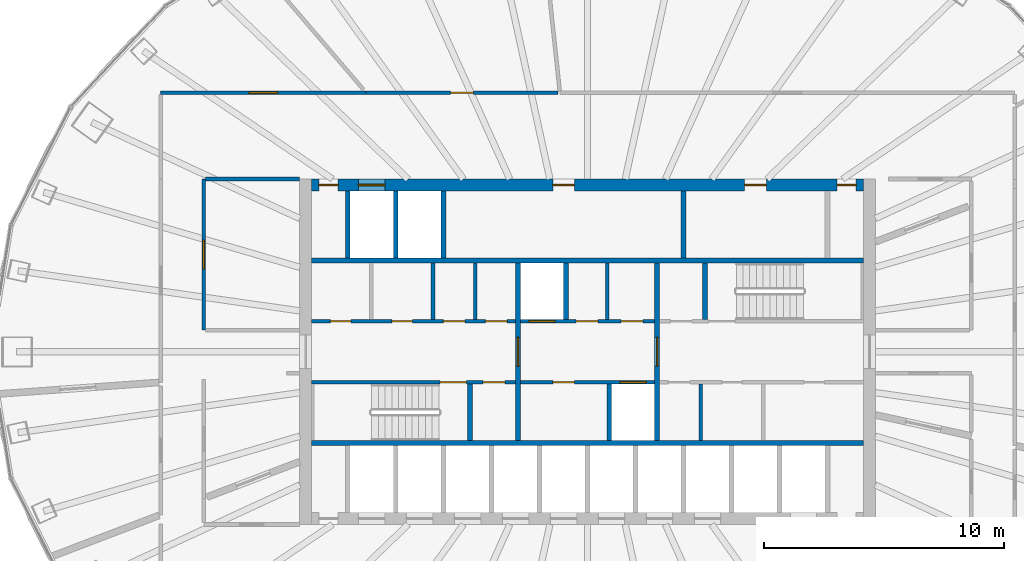
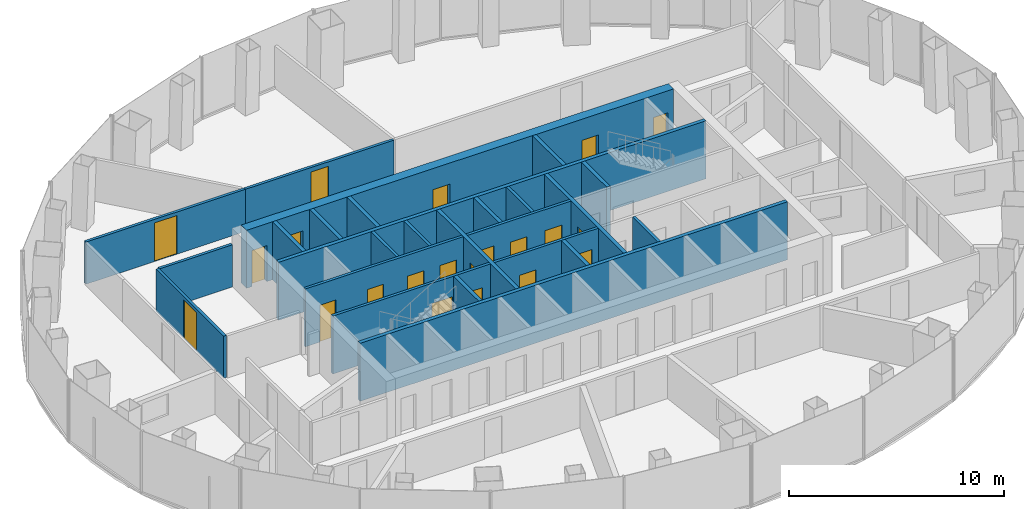
# One storey, part 9 of 12: 25 walls, 21 doors, 21 openings.
"""IFC4 building model written with IfcOpenShell, lengths in metres."""

from ifc_helpers import new_model, si_unit, direction, frame, frame_2d, origin, place, context, subcontext, project, spatial, rectangle, extrude, material, layer, layer_set, type_object, element, fill, save


model = new_model("IFC4")

# Units and contexts
model_context = context("Model", 3, precision=1e-05, world=origin(), true_north=direction((0.0, 1.0)))
body_context = subcontext(model_context, "Body", "Model", "MODEL_VIEW")
ifc_project = project(units=[si_unit("LENGTHUNIT", "METRE"), si_unit("AREAUNIT", "SQUARE_METRE"), si_unit("VOLUMEUNIT", "CUBIC_METRE"), si_unit("PLANEANGLEUNIT", "RADIAN"), si_unit("MASSUNIT", "GRAM", prefix="KILO")], contexts=[model_context])

# Site, building, storey
site_placement = place(None, origin())
site = spatial("IfcSite", under=ifc_project, at=site_placement, CompositionType="ELEMENT")
building_placement = place(site_placement, origin())
building = spatial("IfcBuilding", under=site, at=building_placement, Name="Siaravel Broadcast Tower", CompositionType="ELEMENT")
storey_placement = place(building_placement, frame((0.0, 0.0, 134.10009765625)))
storey = spatial("IfcBuildingStorey", under=building, at=storey_placement, Name="L32", CompositionType="ELEMENT", Elevation=134.10009765625)

# Walls
ifc_material_1 = material(Name="Concrete blockwork", Category="masonry")
ifc_layer_1 = layer(ifc_material_1, 0.14990234375)
ifc_layer_set_1 = layer_set([ifc_layer_1], Name="Concrete blockwork")
wall_type_1 = type_object("IfcWallType", Name="Core partition 150", PredefinedType="PARTITIONING", material=ifc_layer_set_1)
for number, where, z_axis, x_axis, name in (
    (1, (-6.445068359375, 1.35009765625, 0.0), (0.0, 0.0, 1.0), (0.0, 1.0, 0.0), "L32 core partition PNW1"),
    (2, (-4.68505859375, 1.35009765625, 0.0), (0.0, 0.0, 1.0), (0.0, 1.0, 0.0), "L32 core partition PNW2"),
    (3, (4.715087890625, -3.699951171875, 0.0), (0.0, 0.0, 1.0), (0.0, 1.0, 0.0), "L32 core partition PSE0"),
    (4, (0.827392578125, 1.35009765625, 0.0), (0.0, 0.0, 1.0), (0.0, 1.0, 0.0), "L32 core partition PNM0"),
):
    element("IfcWall", number, at=place(storey_placement, frame(where, z_axis=z_axis, x_axis=x_axis)), inside=storey, type_object=wall_type_1, Name=name, PredefinedType="PARTITIONING", context=body_context, shape_type="SweptSolid", body=[
        extrude(rectangle(XDim=2.349853515625, YDim=0.14990234375, at=frame_2d((1.1748046875, 0.0))), origin(), (0.0, 0.0, 1.0), 3.2998046875),
    ])
ifc_layer_2 = layer(ifc_material_1, 0.199951171875)
ifc_layer_set_2 = layer_set([ifc_layer_2], Name="Concrete blockwork")
wall_type_2 = type_object("IfcWallType", Name="Core partition 200", PredefinedType="PARTITIONING", material=ifc_layer_set_2)
wall_1_placement = place(storey_placement, frame((4.0, 3.89990234375, 0.0), z_axis=(0.0, 0.0, 1.0), x_axis=(0.0, 1.0, 0.0)))
element("IfcWall", 5, at=wall_1_placement, inside=storey, type_object=wall_type_2, Name="L32 core partition PFN2", PredefinedType="PARTITIONING", context=body_context, shape_type="SweptSolid", body=[
    extrude(rectangle(XDim=2.800048828125, YDim=0.199951171875, at=frame_2d((1.39990234375, 0.0))), origin(), (0.0, 0.0, 1.0), 3.2998046875),
])

# Wall, openings, doors
ifc_material_2 = material(Name="Concrete C60/75", Category="concrete")
ifc_layer_3 = layer(ifc_material_2, 0.5)
ifc_layer_set_3 = layer_set([ifc_layer_3], Name="Concrete C60/75")
wall_type_3 = type_object("IfcWallType", Name="Core wall 500", PredefinedType="SHEAR", material=ifc_layer_set_3)
wall_2_placement = place(storey_placement, frame((-11.5, 6.949951171875, 0.0), z_axis=(0.0, 0.0, 1.0), x_axis=(1.0, 0.0, 0.0)))
wall_2 = element("IfcWall", 6, at=wall_2_placement, inside=storey, type_object=wall_type_3, Name="L32 core wall ON", PredefinedType="SHEAR", context=body_context, shape_type="SweptSolid", body=[
    extrude(rectangle(XDim=23.0, YDim=0.5, at=frame_2d((11.5, 0.0))), origin(), (0.0, 0.0, 1.0), 3.2998046875),
])
opening_1_placement = place(wall_2_placement, frame((1.949951171875, 0.0, 0.0)))
opening_1 = element("IfcOpeningElement", 7, at=opening_1_placement, cuts=wall_2, Name="Opening LD-SV2-L32", PredefinedType="OPENING", context=body_context, shape_type="SweptSolid", body=[
    extrude(rectangle(XDim=1.10009765625, YDim=2.199951171875, at=frame_2d((0.550048828125, 1.10009765625))), frame((0.0, 0.260009765625, 0.0), z_axis=(0.0, -1.0, 0.0), x_axis=(1.0, 0.0, 0.0)), (0.0, 0.0, 1.0), 0.52001953125),
])
opening_2_placement = place(wall_2_placement, frame((10.050048828125, 0.0, 0.0)))
opening_2 = element("IfcOpeningElement", 8, at=opening_2_placement, cuts=wall_2, Name="Opening L32-DFN2", PredefinedType="OPENING", context=body_context, shape_type="SweptSolid", body=[
    extrude(rectangle(XDim=0.89990234375, YDim=2.10009765625, at=frame_2d((0.449951171875, 1.050048828125))), frame((0.0, 0.260009765625, 0.0), z_axis=(0.0, -1.0, 0.0), x_axis=(1.0, 0.0, 0.0)), (0.0, 0.0, 1.0), 0.52001953125),
])
opening_3_placement = place(wall_2_placement, frame((18.050048828125, 0.0, 0.0)))
opening_3 = element("IfcOpeningElement", 9, at=opening_3_placement, cuts=wall_2, Name="Opening L32-DFN7", PredefinedType="OPENING", context=body_context, shape_type="SweptSolid", body=[
    extrude(rectangle(XDim=0.89990234375, YDim=2.10009765625, at=frame_2d((0.449951171875, 1.050048828125))), frame((0.0, 0.260009765625, 0.0), z_axis=(0.0, -1.0, 0.0), x_axis=(1.0, 0.0, 0.0)), (0.0, 0.0, 1.0), 0.52001953125),
])
opening_4_placement = place(wall_2_placement, frame((0.300048828125, 0.0, 0.0)))
opening_4 = element("IfcOpeningElement", 10, at=opening_4_placement, cuts=wall_2, Name="Opening L32-DRNW", PredefinedType="OPENING", context=body_context, shape_type="SweptSolid", body=[
    extrude(rectangle(XDim=0.800048828125, YDim=2.050048828125, at=frame_2d((0.39990234375, 1.02490234375))), frame((0.0, 0.260009765625, 0.0), z_axis=(0.0, -1.0, 0.0), x_axis=(1.0, 0.0, 0.0)), (0.0, 0.0, 1.0), 0.52001953125),
])
opening_5_placement = place(wall_2_placement, frame((21.89990234375, 0.0, 0.0)))
opening_5 = element("IfcOpeningElement", 11, at=opening_5_placement, cuts=wall_2, Name="Opening L32-DRNE", PredefinedType="OPENING", context=body_context, shape_type="SweptSolid", body=[
    extrude(rectangle(XDim=0.800048828125, YDim=2.050048828125, at=frame_2d((0.39990234375, 1.02490234375))), frame((0.0, 0.260009765625, 0.0), z_axis=(0.0, -1.0, 0.0), x_axis=(1.0, 0.0, 0.0)), (0.0, 0.0, 1.0), 0.52001953125),
])
ifc_material_3 = material(Name="Timber veneer", Category="wood")
door_type_1 = type_object("IfcDoorType", Name="Core room door 900", OperationType="SINGLE_SWING_LEFT", PredefinedType="DOOR", material=ifc_material_3)
door_1_placement = place(opening_2_placement, origin())
door_1 = element("IfcDoor", 12, at=door_1_placement, inside=storey, type_object=door_type_1, Name="L32 door DFN2", OperationType="SINGLE_SWING_LEFT", OverallHeight=2.10009765625, OverallWidth=0.89990234375, PredefinedType="DOOR", context=body_context, shape_type="SweptSolid", body=[
    extrude(rectangle(XDim=0.89990234375, YDim=2.10009765625, at=frame_2d((0.449951171875, 1.050048828125))), frame((0.0, 0.02490234375, 0.0), z_axis=(0.0, -1.0, 0.0), x_axis=(1.0, 0.0, 0.0)), (0.0, 0.0, 1.0), 0.050048828125),
])
fill(opening_2, door_1)
door_2_placement = place(opening_3_placement, origin())
door_2 = element("IfcDoor", 13, at=door_2_placement, inside=storey, type_object=door_type_1, Name="L32 door DFN7", OperationType="SINGLE_SWING_LEFT", OverallHeight=2.10009765625, OverallWidth=0.89990234375, PredefinedType="DOOR", context=body_context, shape_type="SweptSolid", body=[
    extrude(rectangle(XDim=0.89990234375, YDim=2.10009765625, at=frame_2d((0.449951171875, 1.050048828125))), frame((0.0, 0.02490234375, 0.0), z_axis=(0.0, -1.0, 0.0), x_axis=(1.0, 0.0, 0.0)), (0.0, 0.0, 1.0), 0.050048828125),
])
fill(opening_3, door_2)
ifc_material_4 = material(Name="Steel", Category="steel")
door_type_2 = type_object("IfcDoorType", Name="Riser door 800", OperationType="SINGLE_SWING_LEFT", PredefinedType="DOOR", material=ifc_material_4)
door_3_placement = place(opening_4_placement, origin())
door_3 = element("IfcDoor", 14, at=door_3_placement, inside=storey, type_object=door_type_2, Name="L32 door DRNW", OperationType="SINGLE_SWING_LEFT", OverallHeight=2.050048828125, OverallWidth=0.800048828125, PredefinedType="DOOR", context=body_context, shape_type="SweptSolid", body=[
    extrude(rectangle(XDim=0.800048828125, YDim=2.050048828125, at=frame_2d((0.39990234375, 1.02490234375))), frame((0.0, 0.02490234375, 0.0), z_axis=(0.0, -1.0, 0.0), x_axis=(1.0, 0.0, 0.0)), (0.0, 0.0, 1.0), 0.050048828125),
])
fill(opening_4, door_3)
door_4_placement = place(opening_5_placement, origin())
door_4 = element("IfcDoor", 15, at=door_4_placement, inside=storey, type_object=door_type_2, Name="L32 door DRNE", OperationType="SINGLE_SWING_LEFT", OverallHeight=2.050048828125, OverallWidth=0.800048828125, PredefinedType="DOOR", context=body_context, shape_type="SweptSolid", body=[
    extrude(rectangle(XDim=0.800048828125, YDim=2.050048828125, at=frame_2d((0.39990234375, 1.02490234375))), frame((0.0, 0.02490234375, 0.0), z_axis=(0.0, -1.0, 0.0), x_axis=(1.0, 0.0, 0.0)), (0.0, 0.0, 1.0), 0.050048828125),
])
fill(opening_5, door_4)
ifc_material_5 = material(Name="Stainless steel 316L", Category="steel")
door_type_3 = type_object("IfcDoorType", Name="Service lift landing door 1100", OperationType="DOUBLE_DOOR_SLIDING", PredefinedType="DOOR", material=ifc_material_5)
door_5_placement = place(opening_1_placement, origin())
door_5 = element("IfcDoor", 16, at=door_5_placement, inside=storey, type_object=door_type_3, Name="Landing door SV2 L32", OperationType="DOUBLE_DOOR_SLIDING", OverallHeight=2.199951171875, OverallWidth=1.10009765625, PredefinedType="DOOR", context=body_context, shape_type="SweptSolid", body=[
    extrude(rectangle(XDim=1.10009765625, YDim=2.199951171875, at=frame_2d((0.550048828125, 1.10009765625))), frame((0.0, 0.02490234375, 0.0), z_axis=(0.0, -1.0, 0.0), x_axis=(1.0, 0.0, 0.0)), (0.0, 0.0, 1.0), 0.050048828125),
])
fill(opening_1, door_5)

ifc_material_6 = material(Name="Gypsum board partition", Category="gypsum")
ifc_layer_4 = layer(ifc_material_6, 0.14990234375)
ifc_layer_set_4 = layer_set([ifc_layer_4], Name="Gypsum board partition")
wall_type_4 = type_object("IfcWallType", Name="Corridor wall 150", PredefinedType="PARTITIONING", material=ifc_layer_set_4)
wall_3_placement = place(storey_placement, frame((-11.5, 1.27490234375, 0.0), z_axis=(0.0, 0.0, 1.0), x_axis=(1.0, 0.0, 0.0)))
wall_3 = element("IfcWall", 17, at=wall_3_placement, inside=storey, type_object=wall_type_4, Name="L32 core partition CNW", PredefinedType="PARTITIONING", context=body_context, shape_type="SweptSolid", body=[
    extrude(rectangle(XDim=8.5, YDim=0.14990234375, at=frame_2d((4.25, 0.0))), origin(), (0.0, 0.0, 1.0), 3.2998046875),
])
opening_6_placement = place(wall_3_placement, frame((0.782470703125, 0.0, 0.0)))
opening_6 = element("IfcOpeningElement", 18, at=opening_6_placement, cuts=wall_3, Name="Opening L32-DNW0", PredefinedType="OPENING", context=body_context, shape_type="SweptSolid", body=[
    extrude(rectangle(XDim=0.85009765625, YDim=2.10009765625, at=frame_2d((0.425048828125, 1.050048828125))), frame((0.0, 0.0849609375, 0.0), z_axis=(0.0, -1.0, 0.0), x_axis=(1.0, 0.0, 0.0)), (0.0, 0.0, 1.0), 0.169921875),
])
opening_7_placement = place(wall_3_placement, frame((3.347412109375, 0.0, 0.0)))
opening_7 = element("IfcOpeningElement", 19, at=opening_7_placement, cuts=wall_3, Name="Opening L32-DNW1", PredefinedType="OPENING", context=body_context, shape_type="SweptSolid", body=[
    extrude(rectangle(XDim=0.85009765625, YDim=2.10009765625, at=frame_2d((0.425048828125, 1.050048828125))), frame((0.0, 0.0849609375, 0.0), z_axis=(0.0, -1.0, 0.0), x_axis=(1.0, 0.0, 0.0)), (0.0, 0.0, 1.0), 0.169921875),
])
opening_8_placement = place(wall_3_placement, frame((5.485107421875, 0.0, 0.0)))
opening_8 = element("IfcOpeningElement", 20, at=opening_8_placement, cuts=wall_3, Name="Opening L32-DNW2", PredefinedType="OPENING", context=body_context, shape_type="SweptSolid", body=[
    extrude(rectangle(XDim=0.89990234375, YDim=2.10009765625, at=frame_2d((0.449951171875, 1.050048828125))), frame((0.0, 0.0849609375, 0.0), z_axis=(0.0, -1.0, 0.0), x_axis=(1.0, 0.0, 0.0)), (0.0, 0.0, 1.0), 0.169921875),
])
opening_9_placement = place(wall_3_placement, frame((7.2451171875, 0.0, 0.0)))
opening_9 = element("IfcOpeningElement", 21, at=opening_9_placement, cuts=wall_3, Name="Opening L32-DNW3", PredefinedType="OPENING", context=body_context, shape_type="SweptSolid", body=[
    extrude(rectangle(XDim=0.89990234375, YDim=2.10009765625, at=frame_2d((0.449951171875, 1.050048828125))), frame((0.0, 0.0849609375, 0.0), z_axis=(0.0, -1.0, 0.0), x_axis=(1.0, 0.0, 0.0)), (0.0, 0.0, 1.0), 0.169921875),
])
door_6_placement = place(opening_8_placement, origin())
door_6 = element("IfcDoor", 22, at=door_6_placement, inside=storey, type_object=door_type_1, Name="L32 door DNW2", OperationType="SINGLE_SWING_LEFT", OverallHeight=2.10009765625, OverallWidth=0.89990234375, PredefinedType="DOOR", context=body_context, shape_type="SweptSolid", body=[
    extrude(rectangle(XDim=0.89990234375, YDim=2.10009765625, at=frame_2d((0.449951171875, 1.050048828125))), frame((0.0, 0.02490234375, 0.0), z_axis=(0.0, -1.0, 0.0), x_axis=(1.0, 0.0, 0.0)), (0.0, 0.0, 1.0), 0.050048828125),
])
fill(opening_8, door_6)
door_7_placement = place(opening_9_placement, origin())
door_7 = element("IfcDoor", 23, at=door_7_placement, inside=storey, type_object=door_type_1, Name="L32 door DNW3", OperationType="SINGLE_SWING_LEFT", OverallHeight=2.10009765625, OverallWidth=0.89990234375, PredefinedType="DOOR", context=body_context, shape_type="SweptSolid", body=[
    extrude(rectangle(XDim=0.89990234375, YDim=2.10009765625, at=frame_2d((0.449951171875, 1.050048828125))), frame((0.0, 0.02490234375, 0.0), z_axis=(0.0, -1.0, 0.0), x_axis=(1.0, 0.0, 0.0)), (0.0, 0.0, 1.0), 0.050048828125),
])
fill(opening_9, door_7)
door_type_4 = type_object("IfcDoorType", Name="Core toilet door 850", OperationType="SINGLE_SWING_LEFT", PredefinedType="DOOR", material=ifc_material_3)
door_8_placement = place(opening_6_placement, origin())
door_8 = element("IfcDoor", 24, at=door_8_placement, inside=storey, type_object=door_type_4, Name="L32 door DNW0", OperationType="SINGLE_SWING_LEFT", OverallHeight=2.10009765625, OverallWidth=0.85009765625, PredefinedType="DOOR", context=body_context, shape_type="SweptSolid", body=[
    extrude(rectangle(XDim=0.85009765625, YDim=2.10009765625, at=frame_2d((0.425048828125, 1.050048828125))), frame((0.0, 0.02490234375, 0.0), z_axis=(0.0, -1.0, 0.0), x_axis=(1.0, 0.0, 0.0)), (0.0, 0.0, 1.0), 0.050048828125),
])
fill(opening_6, door_8)
door_9_placement = place(opening_7_placement, origin())
door_9 = element("IfcDoor", 25, at=door_9_placement, inside=storey, type_object=door_type_4, Name="L32 door DNW1", OperationType="SINGLE_SWING_LEFT", OverallHeight=2.10009765625, OverallWidth=0.85009765625, PredefinedType="DOOR", context=body_context, shape_type="SweptSolid", body=[
    extrude(rectangle(XDim=0.85009765625, YDim=2.10009765625, at=frame_2d((0.425048828125, 1.050048828125))), frame((0.0, 0.02490234375, 0.0), z_axis=(0.0, -1.0, 0.0), x_axis=(1.0, 0.0, 0.0)), (0.0, 0.0, 1.0), 0.050048828125),
])
fill(opening_7, door_9)

# Wall, opening, door
wall_4_placement = place(storey_placement, frame((-9.232177734375, 10.800048828125, 0.0), z_axis=(0.0, 0.0, 1.0), x_axis=(-1.0, 0.0, 0.0)))
wall_4 = element("IfcWall", 26, at=wall_4_placement, inside=storey, type_object=wall_type_4, Name="L32 partition 7", PredefinedType="PARTITIONING", context=body_context, shape_type="SweptSolid", body=[
    extrude(rectangle(XDim=8.56787109375, YDim=0.14990234375, at=frame_2d((4.283935546875, 0.0))), origin(), (0.0, 0.0, 1.0), 2.39990234375),
])
opening_10_placement = place(wall_4_placement, frame((3.683837890625, 0.0, 0.0)))
opening_10 = element("IfcOpeningElement", 27, at=opening_10_placement, cuts=wall_4, Name="Opening L32-003", PredefinedType="OPENING", context=body_context, shape_type="SweptSolid", body=[
    extrude(rectangle(XDim=1.199951171875, YDim=2.199951171875, at=frame_2d((0.60009765625, 1.10009765625))), frame((0.0, 0.0849609375, 0.0), z_axis=(0.0, -1.0, 0.0), x_axis=(1.0, 0.0, 0.0)), (0.0, 0.0, 1.0), 0.169921875),
])
door_type_5 = type_object("IfcDoorType", Name="Office double door 1200", OperationType="DOUBLE_DOOR_SINGLE_SWING", PredefinedType="DOOR", material=ifc_material_3)
door_10_placement = place(opening_10_placement, origin())
door_10 = element("IfcDoor", 28, at=door_10_placement, inside=storey, type_object=door_type_5, Name="L32 door to Open plan production office", OperationType="DOUBLE_DOOR_SINGLE_SWING", OverallHeight=2.199951171875, OverallWidth=1.199951171875, PredefinedType="DOOR", context=body_context, shape_type="SweptSolid", body=[
    extrude(rectangle(XDim=1.199951171875, YDim=2.199951171875, at=frame_2d((0.60009765625, 1.10009765625))), frame((0.0, 0.02490234375, 0.0), z_axis=(0.0, -1.0, 0.0), x_axis=(1.0, 0.0, 0.0)), (0.0, 0.0, 1.0), 0.050048828125),
])
fill(opening_10, door_10)

wall_5_placement = place(storey_placement, frame((-1.239013671875, 10.800048828125, 0.0), z_axis=(0.0, 0.0, 1.0), x_axis=(-1.0, 0.0, 0.0)))
wall_5 = element("IfcWall", 29, at=wall_5_placement, inside=storey, type_object=wall_type_4, Name="L32 partition 10", PredefinedType="PARTITIONING", context=body_context, shape_type="SweptSolid", body=[
    extrude(rectangle(XDim=7.9921875, YDim=0.14990234375, at=frame_2d((3.99609375, 0.0))), origin(), (0.0, 0.0, 1.0), 2.39990234375),
])
opening_11_placement = place(wall_5_placement, frame((3.52099609375, 0.0, 0.0)))
opening_11 = element("IfcOpeningElement", 30, at=opening_11_placement, cuts=wall_5, Name="Opening L32-002", PredefinedType="OPENING", context=body_context, shape_type="SweptSolid", body=[
    extrude(rectangle(XDim=0.949951171875, YDim=2.14990234375, at=frame_2d((0.47509765625, 1.074951171875))), frame((0.0, 0.0849609375, 0.0), z_axis=(0.0, -1.0, 0.0), x_axis=(1.0, 0.0, 0.0)), (0.0, 0.0, 1.0), 0.169921875),
])
door_type_6 = type_object("IfcDoorType", Name="Office door 950", OperationType="SINGLE_SWING_LEFT", PredefinedType="DOOR", material=ifc_material_3)
door_11_placement = place(opening_11_placement, origin())
door_11 = element("IfcDoor", 31, at=door_11_placement, inside=storey, type_object=door_type_6, Name="L32 door to Design studio", OperationType="SINGLE_SWING_RIGHT", OverallHeight=2.14990234375, OverallWidth=0.949951171875, PredefinedType="DOOR", context=body_context, shape_type="SweptSolid", body=[
    extrude(rectangle(XDim=0.949951171875, YDim=2.14990234375, at=frame_2d((0.47509765625, 1.074951171875))), frame((0.0, 0.02490234375, 0.0), z_axis=(0.0, -1.0, 0.0), x_axis=(1.0, 0.0, 0.0)), (0.0, 0.0, 1.0), 0.050048828125),
])
fill(opening_11, door_11)

wall_6_placement = place(storey_placement, frame((-16.0, 0.89990234375, 0.0), z_axis=(0.0, 0.0, 1.0), x_axis=(0.0, 1.0, 0.0)))
wall_6 = element("IfcWall", 32, at=wall_6_placement, inside=storey, type_object=wall_type_4, Name="L32 partition 15", PredefinedType="PARTITIONING", context=body_context, shape_type="SweptSolid", body=[
    extrude(rectangle(XDim=6.300048828125, YDim=0.14990234375, at=frame_2d((3.14990234375, 0.0))), origin(), (0.0, 0.0, 1.0), 2.39990234375),
])
opening_12_placement = place(wall_6_placement, frame((2.550048828125, 0.0, 0.0)))
opening_12 = element("IfcOpeningElement", 33, at=opening_12_placement, cuts=wall_6, Name="Opening L32-005", PredefinedType="OPENING", context=body_context, shape_type="SweptSolid", body=[
    extrude(rectangle(XDim=1.199951171875, YDim=2.199951171875, at=frame_2d((0.60009765625, 1.10009765625))), frame((0.0, 0.0849609375, 0.0), z_axis=(0.0, -1.0, 0.0), x_axis=(1.0, 0.0, 0.0)), (0.0, 0.0, 1.0), 0.169921875),
])
door_12_placement = place(opening_12_placement, origin())
door_12 = element("IfcDoor", 34, at=door_12_placement, inside=storey, type_object=door_type_5, Name="L32 door to Open plan production office", OperationType="DOUBLE_DOOR_SINGLE_SWING", OverallHeight=2.199951171875, OverallWidth=1.199951171875, PredefinedType="DOOR", context=body_context, shape_type="SweptSolid", body=[
    extrude(rectangle(XDim=1.199951171875, YDim=2.199951171875, at=frame_2d((0.60009765625, 1.10009765625))), frame((0.0, 0.02490234375, 0.0), z_axis=(0.0, -1.0, 0.0), x_axis=(1.0, 0.0, 0.0)), (0.0, 0.0, 1.0), 0.050048828125),
])
fill(opening_12, door_12)

# Wall
wall_7_placement = place(storey_placement, frame((-15.923095703125, 7.199951171875, 0.0), z_axis=(0.0, 0.0, 1.0), x_axis=(1.0, 0.0, 0.0)))
element("IfcWall", 35, at=wall_7_placement, inside=storey, type_object=wall_type_4, Name="L32 partition 27", PredefinedType="PARTITIONING", context=body_context, shape_type="SweptSolid", body=[
    extrude(rectangle(XDim=3.923095703125, YDim=0.14990234375, at=frame_2d((1.96142578125, 0.0))), origin(), (0.0, 0.0, 1.0), 2.39990234375),
])

# Wall, openings, doors
ifc_layer_5 = layer(ifc_material_2, 0.14990234375)
ifc_layer_set_5 = layer_set([ifc_layer_5], Name="Concrete C60/75")
wall_type_5 = type_object("IfcWallType", Name="Shaft wall 150", PredefinedType="SHEAR", material=ifc_layer_set_5)
wall_8_placement = place(storey_placement, frame((-11.5, -1.27490234375, 0.0), z_axis=(0.0, 0.0, 1.0), x_axis=(1.0, 0.0, 0.0)))
wall_8 = element("IfcWall", 36, at=wall_8_placement, inside=storey, type_object=wall_type_5, Name="L32 core wall CSW", PredefinedType="SHEAR", context=body_context, shape_type="SweptSolid", body=[
    extrude(rectangle(XDim=8.5, YDim=0.14990234375, at=frame_2d((4.25, 0.0))), origin(), (0.0, 0.0, 1.0), 3.2998046875),
])
opening_13_placement = place(wall_8_placement, frame((5.35009765625, 0.0, 0.0)))
opening_13 = element("IfcOpeningElement", 37, at=opening_13_placement, cuts=wall_8, Name="Opening L32-DS-1", PredefinedType="OPENING", context=body_context, shape_type="SweptSolid", body=[
    extrude(rectangle(XDim=1.10009765625, YDim=2.14990234375, at=frame_2d((0.550048828125, 1.074951171875))), frame((0.0, 0.0849609375, 0.0), z_axis=(0.0, -1.0, 0.0), x_axis=(1.0, 0.0, 0.0)), (0.0, 0.0, 1.0), 0.169921875),
])
opening_14_placement = place(wall_8_placement, frame((7.14990234375, 0.0, 0.0)))
opening_14 = element("IfcOpeningElement", 38, at=opening_14_placement, cuts=wall_8, Name="Opening L32-DSW0", PredefinedType="OPENING", context=body_context, shape_type="SweptSolid", body=[
    extrude(rectangle(XDim=0.89990234375, YDim=2.10009765625, at=frame_2d((0.449951171875, 1.050048828125))), frame((0.0, 0.0849609375, 0.0), z_axis=(0.0, -1.0, 0.0), x_axis=(1.0, 0.0, 0.0)), (0.0, 0.0, 1.0), 0.169921875),
])
door_13_placement = place(opening_14_placement, origin())
door_13 = element("IfcDoor", 39, at=door_13_placement, inside=storey, type_object=door_type_1, Name="L32 door DSW0", OperationType="SINGLE_SWING_LEFT", OverallHeight=2.10009765625, OverallWidth=0.89990234375, PredefinedType="DOOR", context=body_context, shape_type="SweptSolid", body=[
    extrude(rectangle(XDim=0.89990234375, YDim=2.10009765625, at=frame_2d((0.449951171875, 1.050048828125))), frame((0.0, 0.02490234375, 0.0), z_axis=(0.0, -1.0, 0.0), x_axis=(1.0, 0.0, 0.0)), (0.0, 0.0, 1.0), 0.050048828125),
])
fill(opening_14, door_13)
door_type_7 = type_object("IfcDoorType", Name="Stair door 1100", OperationType="SINGLE_SWING_LEFT", PredefinedType="DOOR", material=ifc_material_4)
door_14_placement = place(opening_13_placement, origin())
door_14 = element("IfcDoor", 40, at=door_14_placement, inside=storey, type_object=door_type_7, Name="L32 door DS-1", OperationType="SINGLE_SWING_LEFT", OverallHeight=2.14990234375, OverallWidth=1.10009765625, PredefinedType="DOOR", context=body_context, shape_type="SweptSolid", body=[
    extrude(rectangle(XDim=1.10009765625, YDim=2.14990234375, at=frame_2d((0.550048828125, 1.074951171875))), frame((0.0, 0.02490234375, 0.0), z_axis=(0.0, -1.0, 0.0), x_axis=(1.0, 0.0, 0.0)), (0.0, 0.0, 1.0), 0.050048828125),
])
fill(opening_13, door_14)

wall_9_placement = place(storey_placement, frame((-2.800048828125, -1.27490234375, 0.0), z_axis=(0.0, 0.0, 1.0), x_axis=(1.0, 0.0, 0.0)))
wall_9 = element("IfcWall", 41, at=wall_9_placement, inside=storey, type_object=wall_type_5, Name="L32 core wall CSM", PredefinedType="SHEAR", context=body_context, shape_type="SweptSolid", body=[
    extrude(rectangle(XDim=5.60009765625, YDim=0.14990234375, at=frame_2d((2.800048828125, 0.0))), origin(), (0.0, 0.0, 1.0), 3.2998046875),
])
opening_15_placement = place(wall_9_placement, frame((4.14990234375, 0.0, 0.0)))
opening_15 = element("IfcOpeningElement", 42, at=opening_15_placement, cuts=wall_9, Name="Opening LD-FL2-L32", PredefinedType="OPENING", context=body_context, shape_type="SweptSolid", body=[
    extrude(rectangle(XDim=1.10009765625, YDim=2.199951171875, at=frame_2d((0.550048828125, 1.10009765625))), frame((0.0, 0.0849609375, 0.0), z_axis=(0.0, -1.0, 0.0), x_axis=(1.0, 0.0, 0.0)), (0.0, 0.0, 1.0), 0.169921875),
])
opening_16_placement = place(wall_9_placement, frame((1.35009765625, 0.0, 0.0)))
opening_16 = element("IfcOpeningElement", 43, at=opening_16_placement, cuts=wall_9, Name="Opening L32-DSM0", PredefinedType="OPENING", context=body_context, shape_type="SweptSolid", body=[
    extrude(rectangle(XDim=0.89990234375, YDim=2.10009765625, at=frame_2d((0.449951171875, 1.050048828125))), frame((0.0, 0.0849609375, 0.0), z_axis=(0.0, -1.0, 0.0), x_axis=(1.0, 0.0, 0.0)), (0.0, 0.0, 1.0), 0.169921875),
])
door_15_placement = place(opening_16_placement, origin())
door_15 = element("IfcDoor", 44, at=door_15_placement, inside=storey, type_object=door_type_1, Name="L32 door DSM0", OperationType="SINGLE_SWING_LEFT", OverallHeight=2.10009765625, OverallWidth=0.89990234375, PredefinedType="DOOR", context=body_context, shape_type="SweptSolid", body=[
    extrude(rectangle(XDim=0.89990234375, YDim=2.10009765625, at=frame_2d((0.449951171875, 1.050048828125))), frame((0.0, 0.02490234375, 0.0), z_axis=(0.0, -1.0, 0.0), x_axis=(1.0, 0.0, 0.0)), (0.0, 0.0, 1.0), 0.050048828125),
])
fill(opening_16, door_15)
door_type_8 = type_object("IfcDoorType", Name="Firefighting lift landing door 1100", OperationType="DOUBLE_DOOR_SLIDING", PredefinedType="DOOR", material=ifc_material_5)
door_16_placement = place(opening_15_placement, origin())
door_16 = element("IfcDoor", 45, at=door_16_placement, inside=storey, type_object=door_type_8, Name="Landing door FL2 L32", OperationType="DOUBLE_DOOR_SLIDING", OverallHeight=2.199951171875, OverallWidth=1.10009765625, PredefinedType="DOOR", context=body_context, shape_type="SweptSolid", body=[
    extrude(rectangle(XDim=1.10009765625, YDim=2.199951171875, at=frame_2d((0.550048828125, 1.10009765625))), frame((0.0, 0.02490234375, 0.0), z_axis=(0.0, -1.0, 0.0), x_axis=(1.0, 0.0, 0.0)), (0.0, 0.0, 1.0), 0.050048828125),
])
fill(opening_15, door_16)

wall_10_placement = place(storey_placement, frame((-2.800048828125, 1.27490234375, 0.0), z_axis=(0.0, 0.0, 1.0), x_axis=(1.0, 0.0, 0.0)))
wall_10 = element("IfcWall", 46, at=wall_10_placement, inside=storey, type_object=wall_type_5, Name="L32 core wall CNM", PredefinedType="SHEAR", context=body_context, shape_type="SweptSolid", body=[
    extrude(rectangle(XDim=5.60009765625, YDim=0.14990234375, at=frame_2d((2.800048828125, 0.0))), origin(), (0.0, 0.0, 1.0), 3.2998046875),
])
opening_17_placement = place(wall_10_placement, frame((0.35009765625, 0.0, 0.0)))
opening_17 = element("IfcOpeningElement", 47, at=opening_17_placement, cuts=wall_10, Name="Opening LD-FL1-L32", PredefinedType="OPENING", context=body_context, shape_type="SweptSolid", body=[
    extrude(rectangle(XDim=1.10009765625, YDim=2.199951171875, at=frame_2d((0.550048828125, 1.10009765625))), frame((0.0, 0.0849609375, 0.0), z_axis=(0.0, -1.0, 0.0), x_axis=(1.0, 0.0, 0.0)), (0.0, 0.0, 1.0), 0.169921875),
])
opening_18_placement = place(wall_10_placement, frame((2.326171875, 0.0, 0.0)))
opening_18 = element("IfcOpeningElement", 48, at=opening_18_placement, cuts=wall_10, Name="Opening L32-DNM0", PredefinedType="OPENING", context=body_context, shape_type="SweptSolid", body=[
    extrude(rectangle(XDim=0.89990234375, YDim=2.10009765625, at=frame_2d((0.449951171875, 1.050048828125))), frame((0.0, 0.0849609375, 0.0), z_axis=(0.0, -1.0, 0.0), x_axis=(1.0, 0.0, 0.0)), (0.0, 0.0, 1.0), 0.169921875),
])
opening_19_placement = place(wall_10_placement, frame((4.201171875, 0.0, 0.0)))
opening_19 = element("IfcOpeningElement", 49, at=opening_19_placement, cuts=wall_10, Name="Opening L32-DNM1", PredefinedType="OPENING", context=body_context, shape_type="SweptSolid", body=[
    extrude(rectangle(XDim=0.89990234375, YDim=2.10009765625, at=frame_2d((0.449951171875, 1.050048828125))), frame((0.0, 0.0849609375, 0.0), z_axis=(0.0, -1.0, 0.0), x_axis=(1.0, 0.0, 0.0)), (0.0, 0.0, 1.0), 0.169921875),
])
door_17_placement = place(opening_18_placement, origin())
door_17 = element("IfcDoor", 50, at=door_17_placement, inside=storey, type_object=door_type_1, Name="L32 door DNM0", OperationType="SINGLE_SWING_LEFT", OverallHeight=2.10009765625, OverallWidth=0.89990234375, PredefinedType="DOOR", context=body_context, shape_type="SweptSolid", body=[
    extrude(rectangle(XDim=0.89990234375, YDim=2.10009765625, at=frame_2d((0.449951171875, 1.050048828125))), frame((0.0, 0.02490234375, 0.0), z_axis=(0.0, -1.0, 0.0), x_axis=(1.0, 0.0, 0.0)), (0.0, 0.0, 1.0), 0.050048828125),
])
fill(opening_18, door_17)
door_18_placement = place(opening_19_placement, origin())
door_18 = element("IfcDoor", 51, at=door_18_placement, inside=storey, type_object=door_type_1, Name="L32 door DNM1", OperationType="SINGLE_SWING_LEFT", OverallHeight=2.10009765625, OverallWidth=0.89990234375, PredefinedType="DOOR", context=body_context, shape_type="SweptSolid", body=[
    extrude(rectangle(XDim=0.89990234375, YDim=2.10009765625, at=frame_2d((0.449951171875, 1.050048828125))), frame((0.0, 0.02490234375, 0.0), z_axis=(0.0, -1.0, 0.0), x_axis=(1.0, 0.0, 0.0)), (0.0, 0.0, 1.0), 0.050048828125),
])
fill(opening_19, door_18)
door_19_placement = place(opening_17_placement, origin())
door_19 = element("IfcDoor", 52, at=door_19_placement, inside=storey, type_object=door_type_8, Name="Landing door FL1 L32", OperationType="DOUBLE_DOOR_SLIDING", OverallHeight=2.199951171875, OverallWidth=1.10009765625, PredefinedType="DOOR", context=body_context, shape_type="SweptSolid", body=[
    extrude(rectangle(XDim=1.10009765625, YDim=2.199951171875, at=frame_2d((0.550048828125, 1.10009765625))), frame((0.0, 0.02490234375, 0.0), z_axis=(0.0, -1.0, 0.0), x_axis=(1.0, 0.0, 0.0)), (0.0, 0.0, 1.0), 0.050048828125),
])
fill(opening_17, door_19)

# Walls
ifc_layer_6 = layer(ifc_material_2, 0.199951171875)
ifc_layer_set_6 = layer_set([ifc_layer_6], Name="Concrete C60/75")
wall_type_6 = type_object("IfcWallType", Name="Shaft wall 200", PredefinedType="SHEAR", material=ifc_layer_set_6)
for number, where, z_axis, x_axis, name in (
    (53, (-11.5, -3.800048828125, 0.0), (0.0, 0.0, 1.0), (1.0, 0.0, 0.0), "L32 core wall BS"),
    (54, (-11.5, 3.800048828125, 0.0), (0.0, 0.0, 1.0), (1.0, 0.0, 0.0), "L32 core wall BN"),
):
    element("IfcWall", number, at=place(storey_placement, frame(where, z_axis=z_axis, x_axis=x_axis)), inside=storey, type_object=wall_type_6, Name=name, PredefinedType="SHEAR", context=body_context, shape_type="SweptSolid", body=[
        extrude(rectangle(XDim=23.0, YDim=0.199951171875, at=frame_2d((11.5, 0.0))), origin(), (0.0, 0.0, 1.0), 3.2998046875),
    ])
for number, where, z_axis, x_axis, name in (
    (55, (-10.0, 3.89990234375, 0.0), (0.0, 0.0, 1.0), (0.0, 1.0, 0.0), "L32 core wall SWN0"),
    (56, (-8.0, 3.89990234375, 0.0), (0.0, 0.0, 1.0), (0.0, 1.0, 0.0), "L32 core wall SWN1"),
    (57, (-6.0, 3.89990234375, 0.0), (0.0, 0.0, 1.0), (0.0, 1.0, 0.0), "L32 core wall SWN2"),
):
    element("IfcWall", number, at=place(storey_placement, frame(where, z_axis=z_axis, x_axis=x_axis)), inside=storey, type_object=wall_type_6, Name=name, PredefinedType="SHEAR", context=body_context, shape_type="SweptSolid", body=[
        extrude(rectangle(XDim=2.800048828125, YDim=0.199951171875, at=frame_2d((1.39990234375, 0.0))), origin(), (0.0, 0.0, 1.0), 3.2998046875),
    ])

# Wall, opening, door
wall_11_placement = place(storey_placement, frame((-2.89990234375, -3.699951171875, 0.0), z_axis=(0.0, 0.0, 1.0), x_axis=(0.0, 1.0, 0.0)))
wall_11 = element("IfcWall", 58, at=wall_11_placement, inside=storey, type_object=wall_type_6, Name="L32 core wall LW", PredefinedType="SHEAR", context=body_context, shape_type="SweptSolid", body=[
    extrude(rectangle(XDim=7.39990234375, YDim=0.199951171875, at=frame_2d((3.699951171875, 0.0))), origin(), (0.0, 0.0, 1.0), 3.2998046875),
])
opening_20_placement = place(wall_11_placement, frame((3.10009765625, 0.0, 0.0)))
opening_20 = element("IfcOpeningElement", 59, at=opening_20_placement, cuts=wall_11, Name="Opening L32-DL-W", PredefinedType="OPENING", context=body_context, shape_type="SweptSolid", body=[
    extrude(rectangle(XDim=1.199951171875, YDim=2.199951171875, at=frame_2d((0.60009765625, 1.10009765625))), frame((0.0, 0.10986328125, 0.0), z_axis=(0.0, -1.0, 0.0), x_axis=(1.0, 0.0, 0.0)), (0.0, 0.0, 1.0), 0.219970703125),
])
door_type_9 = type_object("IfcDoorType", Name="Firefighting lobby door 1200", OperationType="SINGLE_SWING_LEFT", PredefinedType="DOOR", material=ifc_material_4)
door_20_placement = place(opening_20_placement, origin())
door_20 = element("IfcDoor", 60, at=door_20_placement, inside=storey, type_object=door_type_9, Name="L32 door DL-W", OperationType="SINGLE_SWING_LEFT", OverallHeight=2.199951171875, OverallWidth=1.199951171875, PredefinedType="DOOR", context=body_context, shape_type="SweptSolid", body=[
    extrude(rectangle(XDim=1.199951171875, YDim=2.199951171875, at=frame_2d((0.60009765625, 1.10009765625))), frame((0.0, 0.02490234375, 0.0), z_axis=(0.0, -1.0, 0.0), x_axis=(1.0, 0.0, 0.0)), (0.0, 0.0, 1.0), 0.050048828125),
])
fill(opening_20, door_20)

wall_12_placement = place(storey_placement, frame((2.89990234375, -3.699951171875, 0.0), z_axis=(0.0, 0.0, 1.0), x_axis=(0.0, 1.0, 0.0)))
wall_12 = element("IfcWall", 61, at=wall_12_placement, inside=storey, type_object=wall_type_6, Name="L32 core wall LE", PredefinedType="SHEAR", context=body_context, shape_type="SweptSolid", body=[
    extrude(rectangle(XDim=7.39990234375, YDim=0.199951171875, at=frame_2d((3.699951171875, 0.0))), origin(), (0.0, 0.0, 1.0), 3.2998046875),
])
opening_21_placement = place(wall_12_placement, frame((3.10009765625, 0.0, 0.0)))
opening_21 = element("IfcOpeningElement", 62, at=opening_21_placement, cuts=wall_12, Name="Opening L32-DL-E", PredefinedType="OPENING", context=body_context, shape_type="SweptSolid", body=[
    extrude(rectangle(XDim=1.199951171875, YDim=2.199951171875, at=frame_2d((0.60009765625, 1.10009765625))), frame((0.0, 0.10986328125, 0.0), z_axis=(0.0, -1.0, 0.0), x_axis=(1.0, 0.0, 0.0)), (0.0, 0.0, 1.0), 0.219970703125),
])
door_21_placement = place(opening_21_placement, origin())
door_21 = element("IfcDoor", 63, at=door_21_placement, inside=storey, type_object=door_type_9, Name="L32 door DL-E", OperationType="SINGLE_SWING_LEFT", OverallHeight=2.199951171875, OverallWidth=1.199951171875, PredefinedType="DOOR", context=body_context, shape_type="SweptSolid", body=[
    extrude(rectangle(XDim=1.199951171875, YDim=2.199951171875, at=frame_2d((0.60009765625, 1.10009765625))), frame((0.0, 0.02490234375, 0.0), z_axis=(0.0, -1.0, 0.0), x_axis=(1.0, 0.0, 0.0)), (0.0, 0.0, 1.0), 0.050048828125),
])
fill(opening_21, door_21)

# Walls
for number, where, z_axis, x_axis, name in (
    (64, (-0.89990234375, 1.35009765625, 0.0), (0.0, 0.0, 1.0), (0.0, 1.0, 0.0), "L32 core wall FF1E"),
    (65, (0.89990234375, -3.699951171875, 0.0), (0.0, 0.0, 1.0), (0.0, 1.0, 0.0), "L32 core wall FF2W"),
    (66, (-4.89990234375, -3.699951171875, 0.0), (0.0, 0.0, 1.0), (0.0, 1.0, 0.0), "L32 core wall ST1E"),
    (67, (4.89990234375, 1.35009765625, 0.0), (0.0, 0.0, 1.0), (0.0, 1.0, 0.0), "L32 core wall ST2W"),
):
    element("IfcWall", number, at=place(storey_placement, frame(where, z_axis=z_axis, x_axis=x_axis)), inside=storey, type_object=wall_type_6, Name=name, PredefinedType="SHEAR", context=body_context, shape_type="SweptSolid", body=[
        extrude(rectangle(XDim=2.349853515625, YDim=0.199951171875, at=frame_2d((1.1748046875, 0.0))), origin(), (0.0, 0.0, 1.0), 3.2998046875),
    ])

save(model, "model.ifc")
